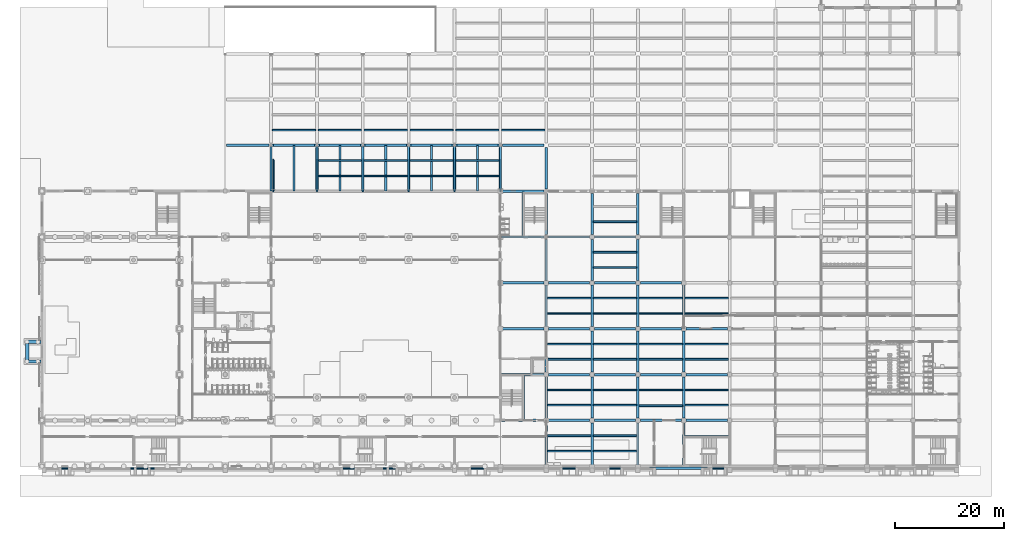
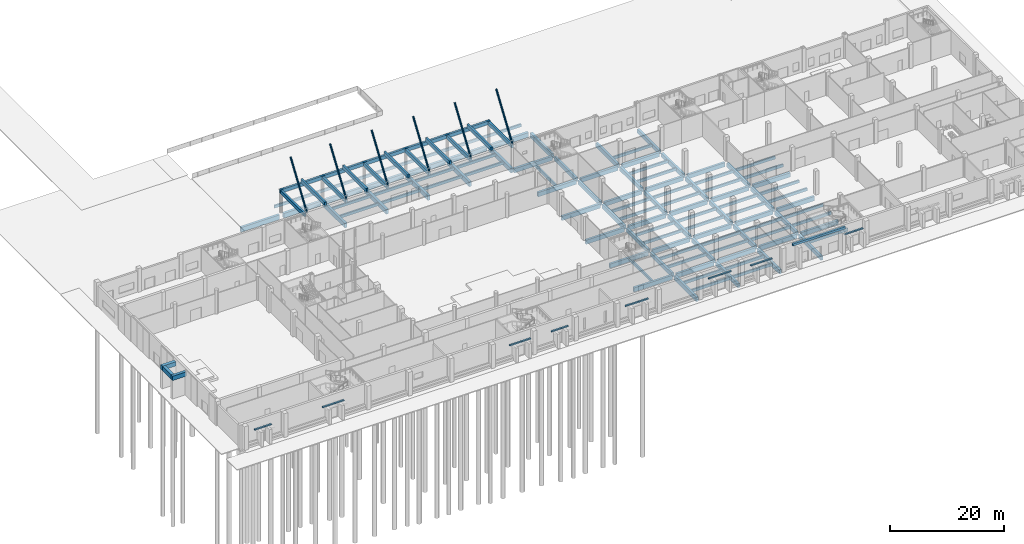
# One storey, part 5 of 74: 130 beams, 6 members.
"""IFC4 building model written with IfcOpenShell, lengths in metres."""

from ifc_helpers import new_model, si_unit, direction, frame, origin, origin_2d, place, context, subcontext, project, spatial, rectangle, hollow_circle, extrude, material, material_profile, profile_set, type_object, element, save


model = new_model("IFC4")

# Units and contexts
model_context = context("Model", 3, precision=1e-05, world=origin(), true_north=direction((0.0, 1.0)))
body_context = subcontext(model_context, "Body", "Model", "MODEL_VIEW")
ifc_project = project(units=[si_unit("LENGTHUNIT", "METRE"), si_unit("AREAUNIT", "SQUARE_METRE"), si_unit("VOLUMEUNIT", "CUBIC_METRE"), si_unit("PLANEANGLEUNIT", "RADIAN"), si_unit("MASSUNIT", "GRAM", prefix="KILO")], contexts=[model_context])

# Site, building, storey
site_placement = place(None, origin())
site = spatial("IfcSite", under=ifc_project, at=site_placement, CompositionType="ELEMENT")
building_placement = place(site_placement, origin())
building = spatial("IfcBuilding", under=site, at=building_placement, Name="Rulbaag Community and Learning Centre", CompositionType="ELEMENT")
storey_placement = place(building_placement, origin())
storey = spatial("IfcBuildingStorey", under=building, at=storey_placement, Name="L00", CompositionType="ELEMENT", Elevation=0.0)

# Beams
ifc_material_1 = material(Name="Concrete M40", Category="concrete")
ifc_material_profile_1 = material_profile(ifc_material_1, rectangle(XDim=0.449951171875, YDim=0.89990234375, at=origin_2d()), Name="RB450x900")
ifc_profile_set_1 = profile_set([ifc_material_profile_1], Name="Concrete M40")
beam_type_1 = type_object("IfcBeamType", Name="B10 Ground floor beam 450x900 Concrete M40", PredefinedType="BEAM", material=ifc_profile_set_1)
for number, where, z_axis, x_axis, name in (
    (1, (84.199951171875, 8.39990234375, -0.75), (1.0, 0.0, 0.0), (0.0, 1.0, 0.0), "BM-L00-11B-12B"),
    (2, (84.199951171875, 16.800048828125, -0.75), (1.0, 0.0, 0.0), (0.0, 1.0, 0.0), "BM-L00-11C-12C"),
    (3, (84.199951171875, 25.199951171875, -0.75), (1.0, 0.0, 0.0), (0.0, 1.0, 0.0), "BM-L00-11D-12D"),
    (4, (84.199951171875, 33.60009765625, -0.75), (1.0, 0.0, 0.0), (0.0, 1.0, 0.0), "BM-L00-11E-12E"),
    (5, (84.199951171875, 42.0, -0.75), (1.0, 0.0, 0.0), (0.0, 1.0, 0.0), "BM-L00-11F-12F"),
    (6, (84.199951171875, 50.39990234375, -0.75), (1.0, 0.0, 0.0), (0.0, 1.0, 0.0), "BM-L00-11G-12G"),
    (7, (92.39990234375, 0.199951171875, -0.75), (0.0, 1.0, 0.0), (-1.0, 0.0, 0.0), "BM-L00-12A-12B"),
):
    element("IfcBeam", number, at=place(storey_placement, frame(where, z_axis=z_axis, x_axis=x_axis)), inside=storey, type_object=beam_type_1, Name=name, PredefinedType="BEAM", context=body_context, shape_type="SweptSolid", body=[
        extrude(rectangle(XDim=0.449951171875, YDim=0.89990234375, at=origin_2d()), origin(), (0.0, 0.0, 1.0), 7.77001953125),
    ])
for number, where, z_axis, x_axis, name in (
    (8, (92.830078125, 8.39990234375, -0.75), (1.0, 0.0, 0.0), (0.0, 1.0, 0.0), "BM-L00-12B-13B"),
    (9, (92.39990234375, 8.830078125, -0.75), (0.0, 1.0, 0.0), (-1.0, 0.0, 0.0), "BM-L00-12B-12C"),
    (10, (92.830078125, 16.800048828125, -0.75), (1.0, 0.0, 0.0), (0.0, 1.0, 0.0), "BM-L00-12C-13C"),
    (11, (92.39990234375, 17.22998046875, -0.75), (0.0, 1.0, 0.0), (-1.0, 0.0, 0.0), "BM-L00-12C-12D"),
    (12, (92.830078125, 25.199951171875, -0.75), (1.0, 0.0, 0.0), (0.0, 1.0, 0.0), "BM-L00-12D-13D"),
    (13, (92.39990234375, 25.6298828125, -0.75), (0.0, 1.0, 0.0), (-1.0, 0.0, 0.0), "BM-L00-12D-12E"),
    (14, (92.830078125, 33.60009765625, -0.75), (1.0, 0.0, 0.0), (0.0, 1.0, 0.0), "BM-L00-12E-13E"),
    (15, (92.39990234375, 34.030029296875, -0.75), (0.0, 1.0, 0.0), (-1.0, 0.0, 0.0), "BM-L00-12E-12F"),
    (16, (92.830078125, 42.0, -0.75), (1.0, 0.0, 0.0), (0.0, 1.0, 0.0), "BM-L00-12F-13F"),
    (17, (92.39990234375, 42.429931640625, -0.75), (0.0, 1.0, 0.0), (-1.0, 0.0, 0.0), "BM-L00-12F-12G"),
):
    element("IfcBeam", number, at=place(storey_placement, frame(where, z_axis=z_axis, x_axis=x_axis)), inside=storey, type_object=beam_type_1, Name=name, PredefinedType="BEAM", context=body_context, shape_type="SweptSolid", body=[
        extrude(rectangle(XDim=0.449951171875, YDim=0.89990234375, at=origin_2d()), origin(), (0.0, 0.0, 1.0), 7.5400390625),
    ])
beam_1_placement = place(storey_placement, frame((100.800048828125, 0.199951171875, -0.75), z_axis=(0.0, 1.0, 0.0), x_axis=(-1.0, 0.0, 0.0)))
element("IfcBeam", 18, at=beam_1_placement, inside=storey, type_object=beam_type_1, Name="BM-L00-13A-13B", PredefinedType="BEAM", context=body_context, shape_type="SweptSolid", body=[
    extrude(rectangle(XDim=0.449951171875, YDim=0.89990234375, at=origin_2d()), origin(), (0.0, 0.0, 1.0), 7.77001953125),
])
for number, where, z_axis, x_axis, name in (
    (19, (101.22998046875, 8.39990234375, -0.75), (1.0, 0.0, 0.0), (0.0, 1.0, 0.0), "BM-L00-13B-14B"),
    (20, (100.800048828125, 8.830078125, -0.75), (0.0, 1.0, 0.0), (-1.0, 0.0, 0.0), "BM-L00-13B-13C"),
    (21, (101.22998046875, 16.800048828125, -0.75), (1.0, 0.0, 0.0), (0.0, 1.0, 0.0), "BM-L00-13C-14C"),
    (22, (100.800048828125, 17.22998046875, -0.75), (0.0, 1.0, 0.0), (-1.0, 0.0, 0.0), "BM-L00-13C-13D"),
    (23, (101.22998046875, 25.199951171875, -0.75), (1.0, 0.0, 0.0), (0.0, 1.0, 0.0), "BM-L00-13D-14D"),
    (24, (100.800048828125, 25.6298828125, -0.75), (0.0, 1.0, 0.0), (-1.0, 0.0, 0.0), "BM-L00-13D-13E"),
    (25, (101.22998046875, 33.60009765625, -0.75), (1.0, 0.0, 0.0), (0.0, 1.0, 0.0), "BM-L00-13E-14E"),
    (26, (100.800048828125, 34.030029296875, -0.75), (0.0, 1.0, 0.0), (-1.0, 0.0, 0.0), "BM-L00-13E-13F"),
    (27, (101.22998046875, 42.0, -0.75), (1.0, 0.0, 0.0), (0.0, 1.0, 0.0), "BM-L00-13F-14F"),
    (28, (100.800048828125, 42.429931640625, -0.75), (0.0, 1.0, 0.0), (-1.0, 0.0, 0.0), "BM-L00-13F-13G"),
):
    element("IfcBeam", number, at=place(storey_placement, frame(where, z_axis=z_axis, x_axis=x_axis)), inside=storey, type_object=beam_type_1, Name=name, PredefinedType="BEAM", context=body_context, shape_type="SweptSolid", body=[
        extrude(rectangle(XDim=0.449951171875, YDim=0.89990234375, at=origin_2d()), origin(), (0.0, 0.0, 1.0), 7.5400390625),
    ])
beam_2_placement = place(storey_placement, frame((109.199951171875, 0.199951171875, -0.75), z_axis=(0.0, 1.0, 0.0), x_axis=(-1.0, 0.0, 0.0)))
element("IfcBeam", 29, at=beam_2_placement, inside=storey, type_object=beam_type_1, Name="BM-L00-14A-14B", PredefinedType="BEAM", context=body_context, shape_type="SweptSolid", body=[
    extrude(rectangle(XDim=0.449951171875, YDim=0.89990234375, at=origin_2d()), origin(), (0.0, 0.0, 1.0), 7.77001953125),
])
for number, where, z_axis, x_axis, name in (
    (30, (109.6298828125, 8.39990234375, -0.75), (1.0, 0.0, 0.0), (0.0, 1.0, 0.0), "BM-L00-14B-15B"),
    (31, (109.199951171875, 8.830078125, -0.75), (0.0, 1.0, 0.0), (-1.0, 0.0, 0.0), "BM-L00-14B-14C"),
    (32, (109.6298828125, 16.800048828125, -0.75), (1.0, 0.0, 0.0), (0.0, 1.0, 0.0), "BM-L00-14C-15C"),
    (33, (109.199951171875, 17.22998046875, -0.75), (0.0, 1.0, 0.0), (-1.0, 0.0, 0.0), "BM-L00-14C-14D"),
    (34, (109.6298828125, 25.199951171875, -0.75), (1.0, 0.0, 0.0), (0.0, 1.0, 0.0), "BM-L00-14D-15D"),
    (35, (109.199951171875, 25.6298828125, -0.75), (0.0, 1.0, 0.0), (-1.0, 0.0, 0.0), "BM-L00-14D-14E"),
    (36, (109.6298828125, 33.60009765625, -0.75), (1.0, 0.0, 0.0), (0.0, 1.0, 0.0), "BM-L00-14E-15E"),
    (37, (109.199951171875, 34.030029296875, -0.75), (0.0, 1.0, 0.0), (-1.0, 0.0, 0.0), "BM-L00-14E-14F"),
    (38, (109.199951171875, 42.429931640625, -0.75), (0.0, 1.0, 0.0), (-1.0, 0.0, 0.0), "BM-L00-14F-14G"),
):
    element("IfcBeam", number, at=place(storey_placement, frame(where, z_axis=z_axis, x_axis=x_axis)), inside=storey, type_object=beam_type_1, Name=name, PredefinedType="BEAM", context=body_context, shape_type="SweptSolid", body=[
        extrude(rectangle(XDim=0.449951171875, YDim=0.89990234375, at=origin_2d()), origin(), (0.0, 0.0, 1.0), 7.5400390625),
    ])
beam_3_placement = place(storey_placement, frame((117.60009765625, 0.199951171875, -0.75), z_axis=(0.0, 1.0, 0.0), x_axis=(-1.0, 0.0, 0.0)))
element("IfcBeam", 39, at=beam_3_placement, inside=storey, type_object=beam_type_1, Name="BM-L00-15A-15B", PredefinedType="BEAM", context=body_context, shape_type="SweptSolid", body=[
    extrude(rectangle(XDim=0.449951171875, YDim=0.89990234375, at=origin_2d()), origin(), (0.0, 0.0, 1.0), 7.77001953125),
])
for number, where, z_axis, x_axis, name in (
    (40, (118.030029296875, 8.39990234375, -0.75), (1.0, 0.0, 0.0), (0.0, 1.0, 0.0), "BM-L00-15B-16B"),
    (41, (117.60009765625, 8.830078125, -0.75), (0.0, 1.0, 0.0), (-1.0, 0.0, 0.0), "BM-L00-15B-15C"),
    (42, (118.030029296875, 16.800048828125, -0.75), (1.0, 0.0, 0.0), (0.0, 1.0, 0.0), "BM-L00-15C-16C"),
    (43, (117.60009765625, 17.22998046875, -0.75), (0.0, 1.0, 0.0), (-1.0, 0.0, 0.0), "BM-L00-15C-15D"),
    (44, (118.030029296875, 25.199951171875, -0.75), (1.0, 0.0, 0.0), (0.0, 1.0, 0.0), "BM-L00-15D-16D"),
    (45, (117.60009765625, 25.6298828125, -0.75), (0.0, 1.0, 0.0), (-1.0, 0.0, 0.0), "BM-L00-15D-15E"),
):
    element("IfcBeam", number, at=place(storey_placement, frame(where, z_axis=z_axis, x_axis=x_axis)), inside=storey, type_object=beam_type_1, Name=name, PredefinedType="BEAM", context=body_context, shape_type="SweptSolid", body=[
        extrude(rectangle(XDim=0.449951171875, YDim=0.89990234375, at=origin_2d()), origin(), (0.0, 0.0, 1.0), 7.5400390625),
    ])
ifc_material_profile_2 = material_profile(ifc_material_1, rectangle(XDim=0.5, YDim=1.0, at=origin_2d()), Name="RB500x1000")
ifc_profile_set_2 = profile_set([ifc_material_profile_2], Name="Concrete M40")
beam_type_2 = type_object("IfcBeamType", Name="B12 Plaza deck beam 500x1000 Concrete M40", PredefinedType="BEAM", material=ifc_profile_set_2)
beam_4_placement = place(storey_placement, frame((33.800048828125, 58.800048828125, -0.800048828125), z_axis=(1.0, 0.0, 0.0), x_axis=(0.0, 1.0, 0.0)))
element("IfcBeam", 46, at=beam_4_placement, inside=storey, type_object=beam_type_2, Name="BM-L00-5H-6H", PredefinedType="BEAM", context=body_context, shape_type="SweptSolid", body=[
    extrude(rectangle(XDim=0.5, YDim=1.0, at=origin_2d()), origin(), (0.0, 0.0, 1.0), 7.77001953125),
])
beam_5_placement = place(storey_placement, frame((42.429931640625, 58.800048828125, -0.800048828125), z_axis=(1.0, 0.0, 0.0), x_axis=(0.0, 1.0, 0.0)))
element("IfcBeam", 47, at=beam_5_placement, inside=storey, type_object=beam_type_2, Name="BM-L00-6H-7H", PredefinedType="BEAM", context=body_context, shape_type="SweptSolid", body=[
    extrude(rectangle(XDim=0.5, YDim=1.0, at=origin_2d()), origin(), (0.0, 0.0, 1.0), 7.5400390625),
])
beam_6_placement = place(storey_placement, frame((50.39990234375, 50.60009765625, -0.800048828125), z_axis=(0.0, 1.0, 0.0), x_axis=(-1.0, 0.0, 0.0)))
element("IfcBeam", 48, at=beam_6_placement, inside=storey, type_object=beam_type_2, Name="BM-L00-7G-7H", PredefinedType="BEAM", context=body_context, shape_type="SweptSolid", body=[
    extrude(rectangle(XDim=0.5, YDim=1.0, at=origin_2d()), origin(), (0.0, 0.0, 1.0), 7.77001953125),
])
beam_7_placement = place(storey_placement, frame((50.830078125, 58.800048828125, -0.800048828125), z_axis=(1.0, 0.0, 0.0), x_axis=(0.0, 1.0, 0.0)))
element("IfcBeam", 49, at=beam_7_placement, inside=storey, type_object=beam_type_2, Name="BM-L00-7H-8H", PredefinedType="BEAM", context=body_context, shape_type="SweptSolid", body=[
    extrude(rectangle(XDim=0.5, YDim=1.0, at=origin_2d()), origin(), (0.0, 0.0, 1.0), 7.5400390625),
])
beam_8_placement = place(storey_placement, frame((58.800048828125, 50.60009765625, -0.800048828125), z_axis=(0.0, 1.0, 0.0), x_axis=(-1.0, 0.0, 0.0)))
element("IfcBeam", 50, at=beam_8_placement, inside=storey, type_object=beam_type_2, Name="BM-L00-8G-8H", PredefinedType="BEAM", context=body_context, shape_type="SweptSolid", body=[
    extrude(rectangle(XDim=0.5, YDim=1.0, at=origin_2d()), origin(), (0.0, 0.0, 1.0), 7.77001953125),
])
beam_9_placement = place(storey_placement, frame((59.22998046875, 58.800048828125, -0.800048828125), z_axis=(1.0, 0.0, 0.0), x_axis=(0.0, 1.0, 0.0)))
element("IfcBeam", 51, at=beam_9_placement, inside=storey, type_object=beam_type_2, Name="BM-L00-8H-9H", PredefinedType="BEAM", context=body_context, shape_type="SweptSolid", body=[
    extrude(rectangle(XDim=0.5, YDim=1.0, at=origin_2d()), origin(), (0.0, 0.0, 1.0), 7.5400390625),
])
beam_10_placement = place(storey_placement, frame((67.199951171875, 50.60009765625, -0.800048828125), z_axis=(0.0, 1.0, 0.0), x_axis=(-1.0, 0.0, 0.0)))
element("IfcBeam", 52, at=beam_10_placement, inside=storey, type_object=beam_type_2, Name="BM-L00-9G-9H", PredefinedType="BEAM", context=body_context, shape_type="SweptSolid", body=[
    extrude(rectangle(XDim=0.5, YDim=1.0, at=origin_2d()), origin(), (0.0, 0.0, 1.0), 7.77001953125),
])
beam_11_placement = place(storey_placement, frame((67.6298828125, 58.800048828125, -0.800048828125), z_axis=(1.0, 0.0, 0.0), x_axis=(0.0, 1.0, 0.0)))
element("IfcBeam", 53, at=beam_11_placement, inside=storey, type_object=beam_type_2, Name="BM-L00-9H-10H", PredefinedType="BEAM", context=body_context, shape_type="SweptSolid", body=[
    extrude(rectangle(XDim=0.5, YDim=1.0, at=origin_2d()), origin(), (0.0, 0.0, 1.0), 7.5400390625),
])
beam_12_placement = place(storey_placement, frame((75.60009765625, 50.60009765625, -0.800048828125), z_axis=(0.0, 1.0, 0.0), x_axis=(-1.0, 0.0, 0.0)))
element("IfcBeam", 54, at=beam_12_placement, inside=storey, type_object=beam_type_2, Name="BM-L00-10G-10H", PredefinedType="BEAM", context=body_context, shape_type="SweptSolid", body=[
    extrude(rectangle(XDim=0.5, YDim=1.0, at=origin_2d()), origin(), (0.0, 0.0, 1.0), 7.77001953125),
])
beam_13_placement = place(storey_placement, frame((76.030029296875, 58.800048828125, -0.800048828125), z_axis=(1.0, 0.0, 0.0), x_axis=(0.0, 1.0, 0.0)))
element("IfcBeam", 55, at=beam_13_placement, inside=storey, type_object=beam_type_2, Name="BM-L00-10H-11H", PredefinedType="BEAM", context=body_context, shape_type="SweptSolid", body=[
    extrude(rectangle(XDim=0.5, YDim=1.0, at=origin_2d()), origin(), (0.0, 0.0, 1.0), 7.5400390625),
])
beam_14_placement = place(storey_placement, frame((84.0, 50.60009765625, -0.800048828125), z_axis=(0.0, 1.0, 0.0), x_axis=(-1.0, 0.0, 0.0)))
element("IfcBeam", 56, at=beam_14_placement, inside=storey, type_object=beam_type_2, Name="BM-L00-11G-11H", PredefinedType="BEAM", context=body_context, shape_type="SweptSolid", body=[
    extrude(rectangle(XDim=0.5, YDim=1.0, at=origin_2d()), origin(), (0.0, 0.0, 1.0), 7.77001953125),
])
for number, where, z_axis, x_axis, name in (
    (57, (84.429931640625, 58.800048828125, -0.800048828125), (1.0, 0.0, 0.0), (0.0, 1.0, 0.0), "BM-L00-11H-12H"),
    (58, (92.39990234375, 50.830078125, -0.800048828125), (0.0, 1.0, 0.0), (-1.0, 0.0, 0.0), "BM-L00-12G-12H"),
):
    element("IfcBeam", number, at=place(storey_placement, frame(where, z_axis=z_axis, x_axis=x_axis)), inside=storey, type_object=beam_type_2, Name=name, PredefinedType="BEAM", context=body_context, shape_type="SweptSolid", body=[
        extrude(rectangle(XDim=0.5, YDim=1.0, at=origin_2d()), origin(), (0.0, 0.0, 1.0), 7.5400390625),
    ])
ifc_material_profile_3 = material_profile(ifc_material_1, rectangle(XDim=0.300048828125, YDim=0.60009765625, at=origin_2d()), Name="RB300x600")
ifc_profile_set_3 = profile_set([ifc_material_profile_3], Name="Concrete M40")
beam_type_3 = type_object("IfcBeamType", Name="B30 Secondary joist 300x600 Concrete M40", PredefinedType="BEAM", material=ifc_profile_set_3)
beam_15_placement = place(storey_placement, frame((42.25, 61.60009765625, -0.60009765625), z_axis=(1.0, 0.0, 0.0), x_axis=(0.0, 1.0, 0.0)))
element("IfcBeam", 59, at=beam_15_placement, inside=storey, type_object=beam_type_3, Name="BM-JS-L00-6H-1", PredefinedType="BEAM", context=body_context, shape_type="SweptSolid", body=[
    extrude(rectangle(XDim=0.300048828125, YDim=0.60009765625, at=origin_2d()), origin(), (0.0, 0.0, 1.0), 7.89990234375),
])
for number, where, z_axis, x_axis, name in (
    (60, (50.64990234375, 53.199951171875, -0.60009765625), (1.0, 0.0, 0.0), (0.0, 1.0, 0.0), "BM-JS-L00-7G-1"),
    (61, (50.64990234375, 56.0, -0.60009765625), (1.0, 0.0, 0.0), (0.0, 1.0, 0.0), "BM-JS-L00-7G-2"),
    (62, (50.64990234375, 61.60009765625, -0.60009765625), (1.0, 0.0, 0.0), (0.0, 1.0, 0.0), "BM-JS-L00-7H-1"),
):
    element("IfcBeam", number, at=place(storey_placement, frame(where, z_axis=z_axis, x_axis=x_axis)), inside=storey, type_object=beam_type_3, Name=name, PredefinedType="BEAM", context=body_context, shape_type="SweptSolid", body=[
        extrude(rectangle(XDim=0.300048828125, YDim=0.60009765625, at=origin_2d()), origin(), (0.0, 0.0, 1.0), 7.900146484375),
    ])
for number, where, z_axis, x_axis, name in (
    (63, (59.050048828125, 53.199951171875, -0.60009765625), (1.0, 0.0, 0.0), (0.0, 1.0, 0.0), "BM-JS-L00-8G-1"),
    (64, (59.050048828125, 56.0, -0.60009765625), (1.0, 0.0, 0.0), (0.0, 1.0, 0.0), "BM-JS-L00-8G-2"),
    (65, (59.050048828125, 61.60009765625, -0.60009765625), (1.0, 0.0, 0.0), (0.0, 1.0, 0.0), "BM-JS-L00-8H-1"),
):
    element("IfcBeam", number, at=place(storey_placement, frame(where, z_axis=z_axis, x_axis=x_axis)), inside=storey, type_object=beam_type_3, Name=name, PredefinedType="BEAM", context=body_context, shape_type="SweptSolid", body=[
        extrude(rectangle(XDim=0.300048828125, YDim=0.60009765625, at=origin_2d()), origin(), (0.0, 0.0, 1.0), 7.89990234375),
    ])
for number, where, z_axis, x_axis, name in (
    (66, (67.449951171875, 53.199951171875, -0.60009765625), (1.0, 0.0, 0.0), (0.0, 1.0, 0.0), "BM-JS-L00-9G-1"),
    (67, (67.449951171875, 56.0, -0.60009765625), (1.0, 0.0, 0.0), (0.0, 1.0, 0.0), "BM-JS-L00-9G-2"),
    (68, (67.449951171875, 61.60009765625, -0.60009765625), (1.0, 0.0, 0.0), (0.0, 1.0, 0.0), "BM-JS-L00-9H-1"),
):
    element("IfcBeam", number, at=place(storey_placement, frame(where, z_axis=z_axis, x_axis=x_axis)), inside=storey, type_object=beam_type_3, Name=name, PredefinedType="BEAM", context=body_context, shape_type="SweptSolid", body=[
        extrude(rectangle(XDim=0.300048828125, YDim=0.60009765625, at=origin_2d()), origin(), (0.0, 0.0, 1.0), 7.900146484375),
    ])
for number, where, z_axis, x_axis, name in (
    (69, (75.85009765625, 53.199951171875, -0.60009765625), (1.0, 0.0, 0.0), (0.0, 1.0, 0.0), "BM-JS-L00-10G-1"),
    (70, (75.85009765625, 56.0, -0.60009765625), (1.0, 0.0, 0.0), (0.0, 1.0, 0.0), "BM-JS-L00-10G-2"),
    (71, (75.85009765625, 61.60009765625, -0.60009765625), (1.0, 0.0, 0.0), (0.0, 1.0, 0.0), "BM-JS-L00-10H-1"),
    (72, (84.25, 61.60009765625, -0.60009765625), (1.0, 0.0, 0.0), (0.0, 1.0, 0.0), "BM-JS-L00-11H-1"),
):
    element("IfcBeam", number, at=place(storey_placement, frame(where, z_axis=z_axis, x_axis=x_axis)), inside=storey, type_object=beam_type_3, Name=name, PredefinedType="BEAM", context=body_context, shape_type="SweptSolid", body=[
        extrude(rectangle(XDim=0.300048828125, YDim=0.60009765625, at=origin_2d()), origin(), (0.0, 0.0, 1.0), 7.89990234375),
    ])
for number, where, z_axis, x_axis, name in (
    (73, (92.625, 2.800048828125, -0.60009765625), (1.0, 0.0, 0.0), (0.0, 1.0, 0.0), "BM-JS-L00-12A-1"),
    (74, (92.625, 5.60009765625, -0.60009765625), (1.0, 0.0, 0.0), (0.0, 1.0, 0.0), "BM-JS-L00-12A-2"),
    (75, (92.625, 11.199951171875, -0.60009765625), (1.0, 0.0, 0.0), (0.0, 1.0, 0.0), "BM-JS-L00-12B-1"),
    (76, (92.625, 14.0, -0.60009765625), (1.0, 0.0, 0.0), (0.0, 1.0, 0.0), "BM-JS-L00-12B-2"),
    (77, (92.625, 19.60009765625, -0.60009765625), (1.0, 0.0, 0.0), (0.0, 1.0, 0.0), "BM-JS-L00-12C-1"),
    (78, (92.625, 22.39990234375, -0.60009765625), (1.0, 0.0, 0.0), (0.0, 1.0, 0.0), "BM-JS-L00-12C-2"),
    (79, (92.625, 28.0, -0.60009765625), (1.0, 0.0, 0.0), (0.0, 1.0, 0.0), "BM-JS-L00-12D-1"),
    (80, (92.625, 30.800048828125, -0.60009765625), (1.0, 0.0, 0.0), (0.0, 1.0, 0.0), "BM-JS-L00-12D-2"),
):
    element("IfcBeam", number, at=place(storey_placement, frame(where, z_axis=z_axis, x_axis=x_axis)), inside=storey, type_object=beam_type_3, Name=name, PredefinedType="BEAM", context=body_context, shape_type="SweptSolid", body=[
        extrude(rectangle(XDim=0.300048828125, YDim=0.60009765625, at=origin_2d()), origin(), (0.0, 0.0, 1.0), 7.949951171875),
    ])
for number, where, z_axis, x_axis, name in (
    (81, (101.02490234375, 2.800048828125, -0.60009765625), (1.0, 0.0, 0.0), (0.0, 1.0, 0.0), "BM-JS-L00-13A-1"),
    (82, (101.02490234375, 5.60009765625, -0.60009765625), (1.0, 0.0, 0.0), (0.0, 1.0, 0.0), "BM-JS-L00-13A-2"),
    (83, (101.02490234375, 11.199951171875, -0.60009765625), (1.0, 0.0, 0.0), (0.0, 1.0, 0.0), "BM-JS-L00-13B-1"),
    (84, (101.02490234375, 14.0, -0.60009765625), (1.0, 0.0, 0.0), (0.0, 1.0, 0.0), "BM-JS-L00-13B-2"),
    (85, (101.02490234375, 19.60009765625, -0.60009765625), (1.0, 0.0, 0.0), (0.0, 1.0, 0.0), "BM-JS-L00-13C-1"),
    (86, (101.02490234375, 22.39990234375, -0.60009765625), (1.0, 0.0, 0.0), (0.0, 1.0, 0.0), "BM-JS-L00-13C-2"),
    (87, (101.02490234375, 28.0, -0.60009765625), (1.0, 0.0, 0.0), (0.0, 1.0, 0.0), "BM-JS-L00-13D-1"),
    (88, (101.02490234375, 30.800048828125, -0.60009765625), (1.0, 0.0, 0.0), (0.0, 1.0, 0.0), "BM-JS-L00-13D-2"),
    (89, (101.02490234375, 36.39990234375, -0.60009765625), (1.0, 0.0, 0.0), (0.0, 1.0, 0.0), "BM-JS-L00-13E-1"),
    (90, (101.02490234375, 39.199951171875, -0.60009765625), (1.0, 0.0, 0.0), (0.0, 1.0, 0.0), "BM-JS-L00-13E-2"),
    (91, (101.02490234375, 44.800048828125, -0.60009765625), (1.0, 0.0, 0.0), (0.0, 1.0, 0.0), "BM-JS-L00-13F-1"),
):
    element("IfcBeam", number, at=place(storey_placement, frame(where, z_axis=z_axis, x_axis=x_axis)), inside=storey, type_object=beam_type_3, Name=name, PredefinedType="BEAM", context=body_context, shape_type="SweptSolid", body=[
        extrude(rectangle(XDim=0.300048828125, YDim=0.60009765625, at=origin_2d()), origin(), (0.0, 0.0, 1.0), 7.9501953125),
    ])
for number, where, z_axis, x_axis, name in (
    (92, (109.425048828125, 11.10009765625, -0.60009765625), (1.0, 0.0, 0.0), (0.0, 1.0, 0.0), "BM-JS-L00-14B-1"),
    (93, (109.425048828125, 14.0, -0.60009765625), (1.0, 0.0, 0.0), (0.0, 1.0, 0.0), "BM-JS-L00-14B-2"),
    (94, (109.425048828125, 19.60009765625, -0.60009765625), (1.0, 0.0, 0.0), (0.0, 1.0, 0.0), "BM-JS-L00-14C-1"),
    (95, (109.425048828125, 22.39990234375, -0.60009765625), (1.0, 0.0, 0.0), (0.0, 1.0, 0.0), "BM-JS-L00-14C-2"),
    (96, (109.425048828125, 28.0, -0.60009765625), (1.0, 0.0, 0.0), (0.0, 1.0, 0.0), "BM-JS-L00-14D-1"),
    (97, (109.425048828125, 30.800048828125, -0.60009765625), (1.0, 0.0, 0.0), (0.0, 1.0, 0.0), "BM-JS-L00-14D-2"),
    (98, (117.824951171875, 11.199951171875, -0.60009765625), (1.0, 0.0, 0.0), (0.0, 1.0, 0.0), "BM-JS-L00-15B-1"),
    (99, (117.824951171875, 14.0, -0.60009765625), (1.0, 0.0, 0.0), (0.0, 1.0, 0.0), "BM-JS-L00-15B-2"),
    (100, (117.824951171875, 19.60009765625, -0.60009765625), (1.0, 0.0, 0.0), (0.0, 1.0, 0.0), "BM-JS-L00-15C-1"),
    (101, (117.824951171875, 22.39990234375, -0.60009765625), (1.0, 0.0, 0.0), (0.0, 1.0, 0.0), "BM-JS-L00-15C-2"),
    (102, (117.824951171875, 28.0, -0.60009765625), (1.0, 0.0, 0.0), (0.0, 1.0, 0.0), "BM-JS-L00-15D-1"),
    (103, (117.824951171875, 30.800048828125, -0.60009765625), (1.0, 0.0, 0.0), (0.0, 1.0, 0.0), "BM-JS-L00-15D-2"),
):
    element("IfcBeam", number, at=place(storey_placement, frame(where, z_axis=z_axis, x_axis=x_axis)), inside=storey, type_object=beam_type_3, Name=name, PredefinedType="BEAM", context=body_context, shape_type="SweptSolid", body=[
        extrude(rectangle(XDim=0.300048828125, YDim=0.60009765625, at=origin_2d()), origin(), (0.0, 0.0, 1.0), 7.949951171875),
    ])
ifc_material_profile_4 = material_profile(ifc_material_1, rectangle(XDim=0.60009765625, YDim=0.89990234375, at=origin_2d()), Name="RB600x900")
ifc_profile_set_4 = profile_set([ifc_material_profile_4], Name="Concrete M40")
beam_type_4 = type_object("IfcBeamType", Name="B37 Portal beam 600 x 900 Concrete M40", PredefinedType="BEAM", material=ifc_profile_set_4)
for number, where, z_axis, x_axis, name in (
    (104, (-0.175048828125, 19.199951171875, 4.35009765625), (-1.0, 0.0, 0.0), (0.0, -1.0, 0.0), "PT-EDGE-W"),
    (105, (-0.175048828125, 22.800048828125, 4.35009765625), (-1.0, 0.0, 0.0), (0.0, -1.0, 0.0), "PT-EDGE-E"),
):
    element("IfcBeam", number, at=place(storey_placement, frame(where, z_axis=z_axis, x_axis=x_axis)), inside=storey, type_object=beam_type_4, Name=name, PredefinedType="BEAM", context=body_context, shape_type="SweptSolid", body=[
        extrude(rectangle(XDim=0.60009765625, YDim=0.89990234375, at=origin_2d()), origin(), (0.0, 0.0, 1.0), 2.800048828125),
    ])
beam_16_placement = place(storey_placement, frame((-2.675048828125, 19.5, 4.35009765625), z_axis=(0.0, 1.0, 0.0), x_axis=(-1.0, 0.0, 0.0)))
element("IfcBeam", 106, at=beam_16_placement, inside=storey, type_object=beam_type_4, Name="PT-LINTEL", PredefinedType="BEAM", context=body_context, shape_type="SweptSolid", body=[
    extrude(rectangle(XDim=0.60009765625, YDim=0.89990234375, at=origin_2d()), origin(), (0.0, 0.0, 1.0), 3.0),
])
ifc_material_profile_5 = material_profile(ifc_material_1, rectangle(XDim=0.300048828125, YDim=0.219970703125, at=origin_2d()), Name="RB300x220")
ifc_profile_set_5 = profile_set([ifc_material_profile_5], Name="Concrete M40")
beam_type_5 = type_object("IfcBeamType", Name="B38 Portal lintel beam 300x220 Concrete M40", PredefinedType="BEAM", material=ifc_profile_set_5)
beam_17_placement = place(storey_placement, frame((2.5, -0.375, 3.18994140625), z_axis=(1.0, 0.0, 0.0), x_axis=(0.0, 1.0, 0.0)))
element("IfcBeam", 107, at=beam_17_placement, inside=storey, type_object=beam_type_5, Name="BM-PORTAL-01B", PredefinedType="BEAM", context=body_context, shape_type="SweptSolid", body=[
    extrude(rectangle(XDim=0.300048828125, YDim=0.219970703125, at=origin_2d()), origin(), (0.0, 0.0, 1.0), 3.39990234375),
])
for number, where, z_axis, x_axis, name in (
    (108, (16.25, -0.375, 3.18994140625), (1.0, 0.0, 0.0), (0.0, 1.0, 0.0), "BM-PORTAL-02B"),
    (109, (54.050048828125, -0.375, 3.18994140625), (1.0, 0.0, 0.0), (0.0, 1.0, 0.0), "BM-PORTAL-03B"),
):
    element("IfcBeam", number, at=place(storey_placement, frame(where, z_axis=z_axis, x_axis=x_axis)), inside=storey, type_object=beam_type_5, Name=name, PredefinedType="BEAM", context=body_context, shape_type="SweptSolid", body=[
        extrude(rectangle(XDim=0.300048828125, YDim=0.219970703125, at=origin_2d()), origin(), (0.0, 0.0, 1.0), 4.300048828125),
    ])
beam_18_placement = place(storey_placement, frame((62.5, -0.375, 3.18994140625), z_axis=(1.0, 0.0, 0.0), x_axis=(0.0, 1.0, 0.0)))
element("IfcBeam", 110, at=beam_18_placement, inside=storey, type_object=beam_type_5, Name="BM-PORTAL-04B", PredefinedType="BEAM", context=body_context, shape_type="SweptSolid", body=[
    extrude(rectangle(XDim=0.300048828125, YDim=0.219970703125, at=origin_2d()), origin(), (0.0, 0.0, 1.0), 3.39990234375),
])
beam_19_placement = place(storey_placement, frame((77.5, -0.375, 3.389892578125), z_axis=(1.0, 0.0, 0.0), x_axis=(0.0, 1.0, 0.0)))
element("IfcBeam", 111, at=beam_19_placement, inside=storey, type_object=beam_type_5, Name="BM-PORTAL-05B", PredefinedType="BEAM", context=body_context, shape_type="SweptSolid", body=[
    extrude(rectangle(XDim=0.300048828125, YDim=0.219970703125, at=origin_2d()), origin(), (0.0, 0.0, 1.0), 4.60009765625),
])
beam_20_placement = place(storey_placement, frame((94.300048828125, -0.375, 3.389892578125), z_axis=(1.0, 0.0, 0.0), x_axis=(0.0, 1.0, 0.0)))
element("IfcBeam", 112, at=beam_20_placement, inside=storey, type_object=beam_type_5, Name="BM-PORTAL-06B", PredefinedType="BEAM", context=body_context, shape_type="SweptSolid", body=[
    extrude(rectangle(XDim=0.300048828125, YDim=0.219970703125, at=origin_2d()), origin(), (0.0, 0.0, 1.0), 4.599853515625),
])
beam_21_placement = place(storey_placement, frame((102.85009765625, -0.375, 3.18994140625), z_axis=(1.0, 0.0, 0.0), x_axis=(0.0, 1.0, 0.0)))
element("IfcBeam", 113, at=beam_21_placement, inside=storey, type_object=beam_type_5, Name="BM-PORTAL-07B", PredefinedType="BEAM", context=body_context, shape_type="SweptSolid", body=[
    extrude(rectangle(XDim=0.300048828125, YDim=0.219970703125, at=origin_2d()), origin(), (0.0, 0.0, 1.0), 4.2998046875),
])
beam_22_placement = place(storey_placement, frame((121.75, -0.375, 3.18994140625), z_axis=(1.0, 0.0, 0.0), x_axis=(0.0, 1.0, 0.0)))
element("IfcBeam", 114, at=beam_22_placement, inside=storey, type_object=beam_type_5, Name="BM-PORTAL-09B", PredefinedType="BEAM", context=body_context, shape_type="SweptSolid", body=[
    extrude(rectangle(XDim=0.300048828125, YDim=0.219970703125, at=origin_2d()), origin(), (0.0, 0.0, 1.0), 3.830078125),
])
ifc_material_profile_6 = material_profile(ifc_material_1, rectangle(XDim=0.39990234375, YDim=0.449951171875, at=origin_2d()), Name="RB400x450")
ifc_profile_set_6 = profile_set([ifc_material_profile_6], Name="Concrete M40")
beam_type_6 = type_object("IfcBeamType", Name="B39 Portal lintel beam 400x450 Concrete M40", PredefinedType="BEAM", material=ifc_profile_set_6)
beam_23_placement = place(storey_placement, frame((111.300048828125, -0.375, 4.675048828125), z_axis=(1.0, 0.0, 0.0), x_axis=(0.0, 1.0, 0.0)))
element("IfcBeam", 115, at=beam_23_placement, inside=storey, type_object=beam_type_6, Name="BM-PORTAL-08B", PredefinedType="BEAM", context=body_context, shape_type="SweptSolid", body=[
    extrude(rectangle(XDim=0.39990234375, YDim=0.449951171875, at=origin_2d()), origin(), (0.0, 0.0, 1.0), 10.64990234375),
])
ifc_material_profile_7 = material_profile(ifc_material_1, rectangle(XDim=0.39990234375, YDim=0.75, at=origin_2d()), Name="RB400x750")
ifc_profile_set_7 = profile_set([ifc_material_profile_7], Name="Concrete M40")
beam_type_7 = type_object("IfcBeamType", Name="BP1 Porch valley beam 400x750 Concrete M40", PredefinedType="BEAM", material=ifc_profile_set_7)
for number, where, z_axis, x_axis, name in (
    (116, (42.0, 50.39990234375, 4.5224609375), (0.0, 0.999956026182, -0.009377937009), (-1.0, 0.0, 0.0), "BM-PORCH-H1"),
    (117, (50.39990234375, 50.39990234375, 4.5224609375), (0.0, 0.999956026182, -0.009377937009), (-1.0, 0.0, 0.0), "BM-PORCH-H2"),
    (118, (58.800048828125, 50.39990234375, 4.5224609375), (0.0, 0.999956026182, -0.009377937009), (-1.0, 0.0, 0.0), "BM-PORCH-H3"),
    (119, (67.199951171875, 50.39990234375, 4.5224609375), (0.0, 0.999956026182, -0.009377937009), (-1.0, 0.0, 0.0), "BM-PORCH-H4"),
    (120, (75.60009765625, 50.39990234375, 4.5224609375), (0.0, 0.999956026182, -0.009377937009), (-1.0, 0.0, 0.0), "BM-PORCH-H5"),
    (121, (84.0, 50.39990234375, 4.5224609375), (0.0, 0.999956026182, -0.009377937009), (-1.0, 0.0, 0.0), "BM-PORCH-H6"),
):
    element("IfcBeam", number, at=place(storey_placement, frame(where, z_axis=z_axis, x_axis=x_axis)), inside=storey, type_object=beam_type_7, Name=name, PredefinedType="BEAM", context=body_context, shape_type="SweptSolid", body=[
        extrude(rectangle(XDim=0.39990234375, YDim=0.75, at=origin_2d()), origin(), (0.0, 0.0, 1.0), 8.200439453125),
    ])
for number, where, z_axis, x_axis, name in (
    (122, (46.199951171875, 50.39990234375, 5.379638671875), (0.0, 0.999955665938, -0.009416270985), (-1.0, 0.0, 0.0), "BM-PORCH-HR1"),
    (123, (54.60009765625, 50.39990234375, 5.379638671875), (0.0, 0.999955665938, -0.009416270985), (-1.0, 0.0, 0.0), "BM-PORCH-HR2"),
    (124, (63.0, 50.39990234375, 5.379638671875), (0.0, 0.999955665938, -0.009416270985), (-1.0, 0.0, 0.0), "BM-PORCH-HR3"),
    (125, (71.39990234375, 50.39990234375, 5.379638671875), (0.0, 0.999955665938, -0.009416270985), (-1.0, 0.0, 0.0), "BM-PORCH-HR4"),
    (126, (79.800048828125, 50.39990234375, 5.379638671875), (0.0, 0.999955665938, -0.009416270985), (-1.0, 0.0, 0.0), "BM-PORCH-HR5"),
):
    element("IfcBeam", number, at=place(storey_placement, frame(where, z_axis=z_axis, x_axis=x_axis)), inside=storey, type_object=beam_type_7, Name=name, PredefinedType="BEAM", context=body_context, shape_type="SweptSolid", body=[
        extrude(rectangle(XDim=0.39990234375, YDim=0.75, at=origin_2d()), origin(), (0.0, 0.0, 1.0), 8.400634765625),
    ])
beam_24_placement = place(storey_placement, frame((41.77490234375, 58.800048828125, 4.550537109375), z_axis=(1.0, 0.0, 0.0), x_axis=(0.0, 1.0, 0.0)))
element("IfcBeam", 127, at=beam_24_placement, inside=storey, type_object=beam_type_7, Name="BM-PORCH-HE", PredefinedType="BEAM", context=body_context, shape_type="SweptSolid", body=[
    extrude(rectangle(XDim=0.39990234375, YDim=0.75, at=origin_2d()), origin(), (0.0, 0.0, 1.0), 42.4501953125),
])

# Members
ifc_material_2 = material(Name="Steel E350", Category="steel")
ifc_material_profile_8 = material_profile(ifc_material_2, hollow_circle(Radius=0.177734375, WallThickness=0.012451171875, at=origin_2d()), Name="CHS355.6x12.5")
ifc_profile_set_8 = profile_set([ifc_material_profile_8], Name="Steel E350")
member_type = type_object("IfcMemberType", Name="BR1 Canopy strut 355.6x12.5 Steel E350", PredefinedType="BRACE", material=ifc_profile_set_8)
for number, where, z_axis, x_axis, name in (
    (128, (42.39990234375, 50.39990234375, 4.8486328125), (0.0, 0.562513174214, 0.826788321661), (-1.0, 0.0, 0.0), "BR-CANOPY-1"),
    (129, (50.39990234375, 50.39990234375, 4.8486328125), (0.0, 0.562513174214, 0.826788321661), (-1.0, 0.0, 0.0), "BR-CANOPY-2"),
    (130, (58.800048828125, 50.39990234375, 4.8486328125), (0.0, 0.562513174214, 0.826788321661), (-1.0, 0.0, 0.0), "BR-CANOPY-3"),
    (131, (67.199951171875, 50.39990234375, 4.8486328125), (0.0, 0.562513174214, 0.826788321661), (-1.0, 0.0, 0.0), "BR-CANOPY-4"),
    (132, (75.60009765625, 50.39990234375, 4.8486328125), (0.0, 0.562513174214, 0.826788321661), (-1.0, 0.0, 0.0), "BR-CANOPY-5"),
    (133, (84.0, 50.39990234375, 4.8486328125), (0.0, 0.562513174214, 0.826788321661), (-1.0, 0.0, 0.0), "BR-CANOPY-6"),
):
    element("IfcMember", number, at=place(storey_placement, frame(where, z_axis=z_axis, x_axis=x_axis)), inside=storey, type_object=member_type, Name=name, PredefinedType="BRACE", context=body_context, shape_type="SweptSolid", body=[
        extrude(hollow_circle(Radius=0.177734375, WallThickness=0.012451171875, at=origin_2d()), origin(), (0.0, 0.0, 1.0), 10.221923828125),
    ])

# Beams
ifc_material_profile_9 = material_profile(ifc_material_1, rectangle(XDim=0.300048828125, YDim=0.60009765625, at=origin_2d()), Name="RB300x600")
ifc_profile_set_9 = profile_set([ifc_material_profile_9], Name="Concrete M40")
beam_type_8 = type_object("IfcBeamType", Name="BWS Stair wall trimmer beam 300x600 Concrete M40", PredefinedType="BEAM", material=ifc_profile_set_9)
for number, where, z_axis, x_axis, name in (
    (134, (88.199951171875, 8.614990234375, -0.60009765625), (0.0, 1.0, 0.0), (-1.0, 0.0, 0.0), "Stair wall trimmer beam SH2 E"),
    (135, (88.199951171875, 42.215087890625, -0.60009765625), (0.0, 1.0, 0.0), (-1.0, 0.0, 0.0), "Stair wall trimmer beam SH6 W"),
    (136, (117.81494140625, 5.39990234375, -0.60009765625), (1.0, 0.0, 0.0), (0.0, 1.0, 0.0), "Stair wall trimmer beam SH11 N"),
):
    element("IfcBeam", number, at=place(storey_placement, frame(where, z_axis=z_axis, x_axis=x_axis)), inside=storey, type_object=beam_type_8, Name=name, PredefinedType="BEAM", context=body_context, shape_type="SweptSolid", body=[
        extrude(rectangle(XDim=0.300048828125, YDim=0.60009765625, at=origin_2d()), origin(), (0.0, 0.0, 1.0), 7.969970703125),
    ])

save(model, "model.ifc")
